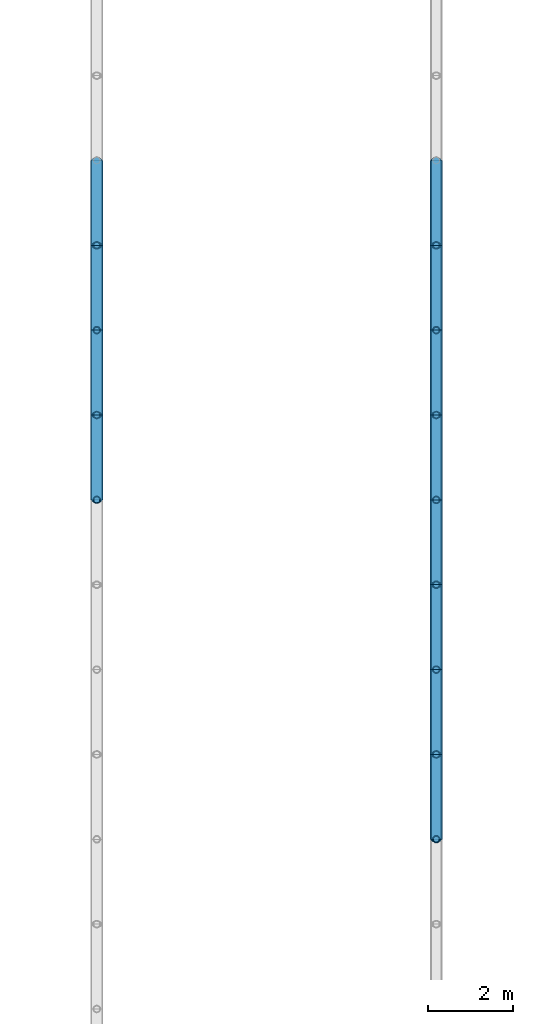
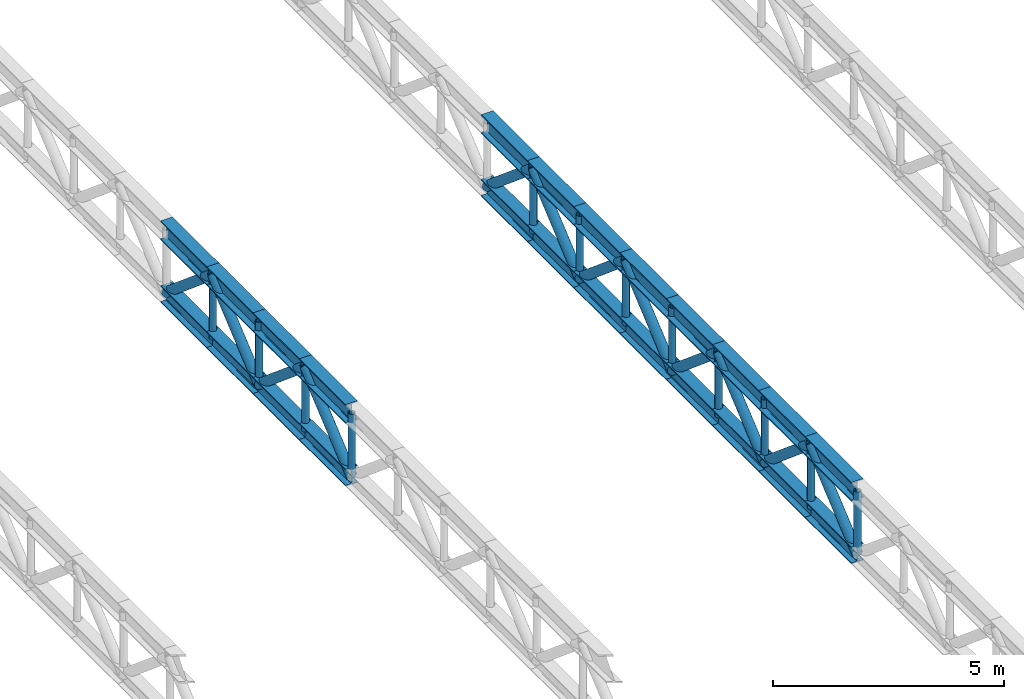
# One storey, part 44 of 143: 48 members.
"""IFC4 building model written with IfcOpenShell, lengths in metres."""

from ifc_helpers import new_model, si_unit, derived_unit, direction, frame, origin, origin_2d, place, context, subcontext, project, spatial, hollow_circle, i_section, extrude, material, material_profile, profile_set, type_object, element, save


model = new_model("IFC4")

# Units and contexts
model_context = context("Model", 3, precision=1e-05, world=origin(), true_north=direction((0.0, 1.0)))
body_context = subcontext(model_context, "Body", "Model", "MODEL_VIEW")
ifc_project = project(units=[si_unit("LENGTHUNIT", "METRE"), si_unit("AREAUNIT", "SQUARE_METRE"), si_unit("VOLUMEUNIT", "CUBIC_METRE"), si_unit("PLANEANGLEUNIT", "RADIAN"), si_unit("MASSUNIT", "GRAM", prefix="KILO"), derived_unit("THERMALTRANSMITTANCEUNIT", [(si_unit("POWERUNIT", "WATT"), 1), (si_unit("LENGTHUNIT", "METRE"), -2), (si_unit("THERMODYNAMICTEMPERATUREUNIT", "KELVIN"), -1)])], contexts=[model_context])

# Site, building, storey
site_placement = place(None, origin())
site = spatial("IfcSite", under=ifc_project, at=site_placement, CompositionType="ELEMENT")
building_placement = place(site_placement, origin())
building = spatial("IfcBuilding", under=site, at=building_placement, Name="Keldorne Ridge Multi-Sports Centre", CompositionType="ELEMENT")
storey_placement = place(building_placement, frame((0.0, 0.0, 4.800048828125)))
storey = spatial("IfcBuildingStorey", under=building, at=storey_placement, Name="L01", CompositionType="ELEMENT", Elevation=4.800048828125)

# Members
ifc_material = material(Name="Steel S355", Category="steel")
ifc_material_profile_1 = material_profile(ifc_material, i_section(OverallWidth=0.300048828125, OverallDepth=0.5, WebThickness=0.014404296875, FlangeThickness=0.028076171875, FilletRadius=0.027099609375, at=origin_2d()), Name="HEB 500")
ifc_profile_set_1 = profile_set([ifc_material_profile_1], Name="Steel S355")
member_type_1 = type_object("IfcMemberType", Name="MEM-TC-03", PredefinedType="CHORD", material=ifc_profile_set_1)
for number, where, z_axis, x_axis, name in (
    (1, (120.0, 30.0, 4.31005859375), (0.0, 1.0, 0.0), (-1.0, 0.0, 0.0), "Stacked Courts Warren TRUSS WT-L02-03 top chord 13"),
    (2, (120.0, 32.0, 4.31005859375), (0.0, 1.0, 0.0), (-1.0, 0.0, 0.0), "Stacked Courts Warren TRUSS WT-L02-03 top chord 14"),
    (3, (120.0, 34.0, 4.31005859375), (0.0, 1.0, 0.0), (-1.0, 0.0, 0.0), "Stacked Courts Warren TRUSS WT-L02-03 top chord 15"),
    (4, (120.0, 36.0, 4.31005859375), (0.0, 1.0, 0.0), (-1.0, 0.0, 0.0), "Stacked Courts Warren TRUSS WT-L02-03 top chord 16"),
    (5, (128.0, 22.0, 4.31005859375), (0.0, 1.0, 0.0), (-1.0, 0.0, 0.0), "Stacked Courts Warren TRUSS WT-L02-04 top chord 9"),
    (6, (128.0, 24.0, 4.31005859375), (0.0, 1.0, 0.0), (-1.0, 0.0, 0.0), "Stacked Courts Warren TRUSS WT-L02-04 top chord 10"),
    (7, (128.0, 26.0, 4.31005859375), (0.0, 1.0, 0.0), (-1.0, 0.0, 0.0), "Stacked Courts Warren TRUSS WT-L02-04 top chord 11"),
    (8, (128.0, 28.0, 4.31005859375), (0.0, 1.0, 0.0), (-1.0, 0.0, 0.0), "Stacked Courts Warren TRUSS WT-L02-04 top chord 12"),
    (9, (128.0, 30.0, 4.31005859375), (0.0, 1.0, 0.0), (-1.0, 0.0, 0.0), "Stacked Courts Warren TRUSS WT-L02-04 top chord 13"),
    (10, (128.0, 32.0, 4.31005859375), (0.0, 1.0, 0.0), (-1.0, 0.0, 0.0), "Stacked Courts Warren TRUSS WT-L02-04 top chord 14"),
    (11, (128.0, 34.0, 4.31005859375), (0.0, 1.0, 0.0), (-1.0, 0.0, 0.0), "Stacked Courts Warren TRUSS WT-L02-04 top chord 15"),
    (12, (128.0, 36.0, 4.31005859375), (0.0, 1.0, 0.0), (-1.0, 0.0, 0.0), "Stacked Courts Warren TRUSS WT-L02-04 top chord 16"),
):
    element("IfcMember", number, at=place(storey_placement, frame(where, z_axis=z_axis, x_axis=x_axis)), inside=storey, type_object=member_type_1, Name=name, PredefinedType="CHORD", context=body_context, shape_type="SweptSolid", body=[
        extrude(i_section(OverallWidth=0.300048828125, OverallDepth=0.5, WebThickness=0.014404296875, FlangeThickness=0.028076171875, FilletRadius=0.027099609375, at=origin_2d()), origin(), (0.0, 0.0, 1.0), 2.0),
    ])
ifc_material_profile_2 = material_profile(ifc_material, i_section(OverallWidth=0.300048828125, OverallDepth=0.449951171875, WebThickness=0.013916015625, FlangeThickness=0.02587890625, FilletRadius=0.027099609375, at=origin_2d()), Name="HEB 450")
ifc_profile_set_2 = profile_set([ifc_material_profile_2], Name="Steel S355")
member_type_2 = type_object("IfcMemberType", Name="MEM-TC-04", PredefinedType="CHORD", material=ifc_profile_set_2)
for number, where, z_axis, x_axis, name in (
    (13, (120.0, 30.0, 2.6298828125), (0.0, 1.0, 0.0), (-1.0, 0.0, 0.0), "Stacked Courts Warren TRUSS WT-L02-03 bottom chord 13"),
    (14, (120.0, 32.0, 2.6298828125), (0.0, 1.0, 0.0), (-1.0, 0.0, 0.0), "Stacked Courts Warren TRUSS WT-L02-03 bottom chord 14"),
    (15, (120.0, 34.0, 2.6298828125), (0.0, 1.0, 0.0), (-1.0, 0.0, 0.0), "Stacked Courts Warren TRUSS WT-L02-03 bottom chord 15"),
    (16, (120.0, 36.0, 2.6298828125), (0.0, 1.0, 0.0), (-1.0, 0.0, 0.0), "Stacked Courts Warren TRUSS WT-L02-03 bottom chord 16"),
    (17, (128.0, 22.0, 2.6298828125), (0.0, 1.0, 0.0), (-1.0, 0.0, 0.0), "Stacked Courts Warren TRUSS WT-L02-04 bottom chord 9"),
    (18, (128.0, 24.0, 2.6298828125), (0.0, 1.0, 0.0), (-1.0, 0.0, 0.0), "Stacked Courts Warren TRUSS WT-L02-04 bottom chord 10"),
    (19, (128.0, 26.0, 2.6298828125), (0.0, 1.0, 0.0), (-1.0, 0.0, 0.0), "Stacked Courts Warren TRUSS WT-L02-04 bottom chord 11"),
    (20, (128.0, 28.0, 2.6298828125), (0.0, 1.0, 0.0), (-1.0, 0.0, 0.0), "Stacked Courts Warren TRUSS WT-L02-04 bottom chord 12"),
    (21, (128.0, 30.0, 2.6298828125), (0.0, 1.0, 0.0), (-1.0, 0.0, 0.0), "Stacked Courts Warren TRUSS WT-L02-04 bottom chord 13"),
    (22, (128.0, 32.0, 2.6298828125), (0.0, 1.0, 0.0), (-1.0, 0.0, 0.0), "Stacked Courts Warren TRUSS WT-L02-04 bottom chord 14"),
    (23, (128.0, 34.0, 2.6298828125), (0.0, 1.0, 0.0), (-1.0, 0.0, 0.0), "Stacked Courts Warren TRUSS WT-L02-04 bottom chord 15"),
    (24, (128.0, 36.0, 2.6298828125), (0.0, 1.0, 0.0), (-1.0, 0.0, 0.0), "Stacked Courts Warren TRUSS WT-L02-04 bottom chord 16"),
):
    element("IfcMember", number, at=place(storey_placement, frame(where, z_axis=z_axis, x_axis=x_axis)), inside=storey, type_object=member_type_2, Name=name, PredefinedType="CHORD", context=body_context, shape_type="SweptSolid", body=[
        extrude(i_section(OverallWidth=0.300048828125, OverallDepth=0.449951171875, WebThickness=0.013916015625, FlangeThickness=0.02587890625, FilletRadius=0.027099609375, at=origin_2d()), origin(), (0.0, 0.0, 1.0), 2.0),
    ])
ifc_material_profile_3 = material_profile(ifc_material, hollow_circle(Radius=0.122314453125, WallThickness=0.012451171875, at=origin_2d()), Name="CHS 244.5x12.5")
ifc_profile_set_3 = profile_set([ifc_material_profile_3], Name="Steel S355")
member_type_3 = type_object("IfcMemberType", Name="MEM-TD-02", PredefinedType="BRACE", material=ifc_profile_set_3)
for number, where, z_axis, x_axis, name in (
    (25, (120.0, 30.0, 2.6298828125), (0.0, 0.765671721121, 0.643231541108), (-1.0, 0.0, 0.0), "Stacked Courts Warren TRUSS WT-L02-03 diagonal 13"),
    (26, (120.0, 32.0, 4.31005859375), (0.0, 0.765671721121, -0.643231541108), (-1.0, 0.0, 0.0), "Stacked Courts Warren TRUSS WT-L02-03 diagonal 14"),
    (27, (120.0, 34.0, 2.6298828125), (0.0, 0.765671721121, 0.643231541108), (-1.0, 0.0, 0.0), "Stacked Courts Warren TRUSS WT-L02-03 diagonal 15"),
    (28, (120.0, 36.0, 4.31005859375), (0.0, 0.765671721121, -0.643231541108), (-1.0, 0.0, 0.0), "Stacked Courts Warren TRUSS WT-L02-03 diagonal 16"),
    (29, (128.0, 22.0, 2.6298828125), (0.0, 0.765671721121, 0.643231541108), (-1.0, 0.0, 0.0), "Stacked Courts Warren TRUSS WT-L02-04 diagonal 9"),
    (30, (128.0, 24.0, 4.31005859375), (0.0, 0.765671721121, -0.643231541108), (-1.0, 0.0, 0.0), "Stacked Courts Warren TRUSS WT-L02-04 diagonal 10"),
    (31, (128.0, 26.0, 2.6298828125), (0.0, 0.765671721121, 0.643231541108), (-1.0, 0.0, 0.0), "Stacked Courts Warren TRUSS WT-L02-04 diagonal 11"),
    (32, (128.0, 28.0, 4.31005859375), (0.0, 0.765671721121, -0.643231541108), (-1.0, 0.0, 0.0), "Stacked Courts Warren TRUSS WT-L02-04 diagonal 12"),
    (33, (128.0, 30.0, 2.6298828125), (0.0, 0.765671721121, 0.643231541108), (-1.0, 0.0, 0.0), "Stacked Courts Warren TRUSS WT-L02-04 diagonal 13"),
    (34, (128.0, 32.0, 4.31005859375), (0.0, 0.765671721121, -0.643231541108), (-1.0, 0.0, 0.0), "Stacked Courts Warren TRUSS WT-L02-04 diagonal 14"),
    (35, (128.0, 34.0, 2.6298828125), (0.0, 0.765671721121, 0.643231541108), (-1.0, 0.0, 0.0), "Stacked Courts Warren TRUSS WT-L02-04 diagonal 15"),
    (36, (128.0, 36.0, 4.31005859375), (0.0, 0.765671721121, -0.643231541108), (-1.0, 0.0, 0.0), "Stacked Courts Warren TRUSS WT-L02-04 diagonal 16"),
):
    element("IfcMember", number, at=place(storey_placement, frame(where, z_axis=z_axis, x_axis=x_axis)), inside=storey, type_object=member_type_3, Name=name, PredefinedType="BRACE", context=body_context, shape_type="SweptSolid", body=[
        extrude(hollow_circle(Radius=0.122314453125, WallThickness=0.012451171875, at=origin_2d()), origin(), (0.0, 0.0, 1.0), 2.612060546875),
    ])
ifc_material_profile_4 = material_profile(ifc_material, hollow_circle(Radius=0.084228515625, WallThickness=0.010009765625, at=origin_2d()), Name="CHS 168.3x10")
ifc_profile_set_4 = profile_set([ifc_material_profile_4], Name="Steel S355")
member_type_4 = type_object("IfcMemberType", Name="MEM-TV-01", PredefinedType="STRUT", material=ifc_profile_set_4)
for number, where, z_axis, x_axis, name in (
    (37, (120.0, 30.0, 2.6298828125), (0.0, 0.0, 1.0), (1.0, 0.0, 0.0), "Stacked Courts Warren TRUSS WT-L02-03 post 13"),
    (38, (120.0, 32.0, 2.6298828125), (0.0, 0.0, 1.0), (1.0, 0.0, 0.0), "Stacked Courts Warren TRUSS WT-L02-03 post 14"),
    (39, (120.0, 34.0, 2.6298828125), (0.0, 0.0, 1.0), (1.0, 0.0, 0.0), "Stacked Courts Warren TRUSS WT-L02-03 post 15"),
    (40, (120.0, 36.0, 2.6298828125), (0.0, 0.0, 1.0), (1.0, 0.0, 0.0), "Stacked Courts Warren TRUSS WT-L02-03 post 16"),
    (41, (128.0, 22.0, 2.6298828125), (0.0, 0.0, 1.0), (1.0, 0.0, 0.0), "Stacked Courts Warren TRUSS WT-L02-04 post 9"),
    (42, (128.0, 24.0, 2.6298828125), (0.0, 0.0, 1.0), (1.0, 0.0, 0.0), "Stacked Courts Warren TRUSS WT-L02-04 post 10"),
    (43, (128.0, 26.0, 2.6298828125), (0.0, 0.0, 1.0), (1.0, 0.0, 0.0), "Stacked Courts Warren TRUSS WT-L02-04 post 11"),
    (44, (128.0, 28.0, 2.6298828125), (0.0, 0.0, 1.0), (1.0, 0.0, 0.0), "Stacked Courts Warren TRUSS WT-L02-04 post 12"),
    (45, (128.0, 30.0, 2.6298828125), (0.0, 0.0, 1.0), (1.0, 0.0, 0.0), "Stacked Courts Warren TRUSS WT-L02-04 post 13"),
    (46, (128.0, 32.0, 2.6298828125), (0.0, 0.0, 1.0), (1.0, 0.0, 0.0), "Stacked Courts Warren TRUSS WT-L02-04 post 14"),
    (47, (128.0, 34.0, 2.6298828125), (0.0, 0.0, 1.0), (1.0, 0.0, 0.0), "Stacked Courts Warren TRUSS WT-L02-04 post 15"),
    (48, (128.0, 36.0, 2.6298828125), (0.0, 0.0, 1.0), (1.0, 0.0, 0.0), "Stacked Courts Warren TRUSS WT-L02-04 post 16"),
):
    element("IfcMember", number, at=place(storey_placement, frame(where, z_axis=z_axis, x_axis=x_axis)), inside=storey, type_object=member_type_4, Name=name, PredefinedType="STRUT", context=body_context, shape_type="SweptSolid", body=[
        extrude(hollow_circle(Radius=0.084228515625, WallThickness=0.010009765625, at=origin_2d()), origin(), (0.0, 0.0, 1.0), 1.68017578125),
    ])

save(model, "model.ifc")
